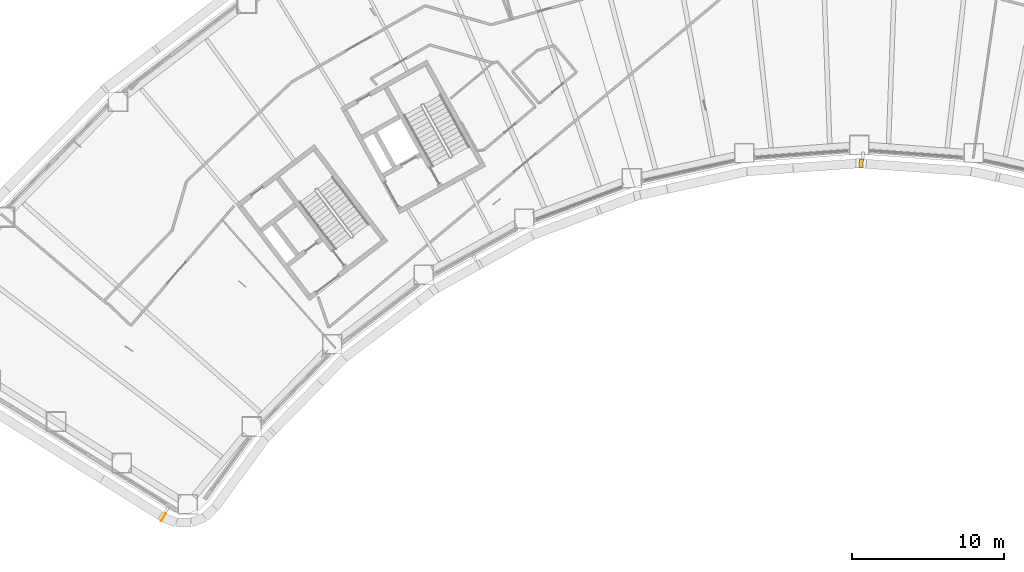
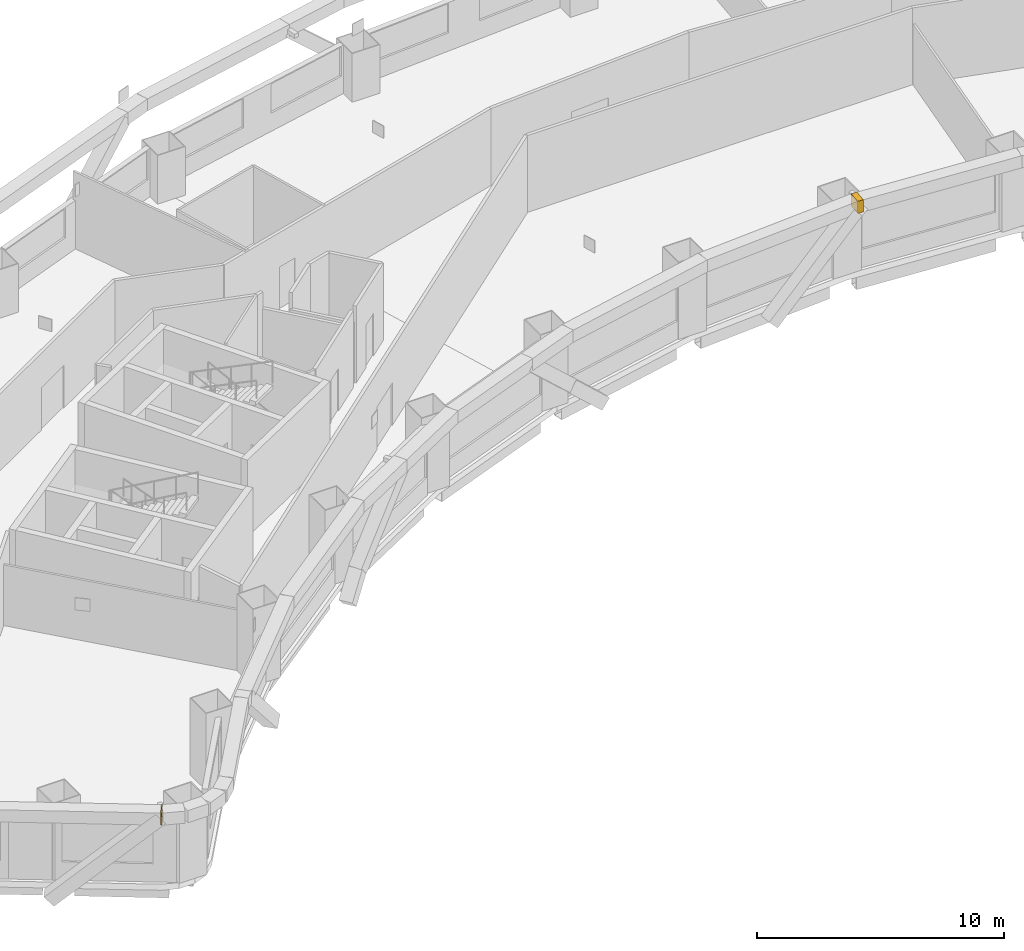
# One storey, part 19 of 19: 2 coverings.
"""IFC4 building model written with IfcOpenShell, lengths in metres."""

from ifc_helpers import new_model, si_unit, direction, frame, origin, origin_2d, place, context, subcontext, project, spatial, rectangle, extrude, material, material_profile, profile_set, type_object, element, save


model = new_model("IFC4")

# Units and contexts
model_context = context("Model", 3, precision=1e-05, world=origin(), true_north=direction((0.0, 1.0)))
body_context = subcontext(model_context, "Body", "Model", "MODEL_VIEW")
ifc_project = project(units=[si_unit("LENGTHUNIT", "METRE"), si_unit("AREAUNIT", "SQUARE_METRE"), si_unit("VOLUMEUNIT", "CUBIC_METRE"), si_unit("PLANEANGLEUNIT", "RADIAN"), si_unit("MASSUNIT", "GRAM", prefix="KILO")], contexts=[model_context])

# Site, building, storey
site_placement = place(None, origin())
site = spatial("IfcSite", under=ifc_project, at=site_placement, CompositionType="ELEMENT")
building_placement = place(site_placement, origin())
building = spatial("IfcBuilding", under=site, at=building_placement, Name="Tuul Gate Civic Tower", CompositionType="ELEMENT")
storey_placement = place(building_placement, frame((0.0, 0.0, 56.699951171875)))
storey = spatial("IfcBuildingStorey", under=building, at=storey_placement, Name="Level 12", CompositionType="ELEMENT", Elevation=56.699951171875)

# Coverings
ifc_material = material(Name="Terracotta baguette", Category="masonry")
ifc_material_profile = material_profile(ifc_material, rectangle(XDim=0.60009765625, YDim=0.60009765625, at=origin_2d()), Name="Terracotta baguette screen frame")
ifc_profile_set = profile_set([ifc_material_profile], Name="Terracotta baguette")
covering_type = type_object("IfcCoveringType", Name="Terracotta baguette screen frame", PredefinedType="CLADDING", material=ifc_profile_set)
covering_1_placement = place(storey_placement, frame((-45.928955078125, -32.0078125, 3.85009765625), z_axis=(0.848261487435, -0.529577613702, 0.0), x_axis=(0.529577613702, 0.848261487435, 0.0)))
element("IfcCovering", 1, at=covering_1_placement, inside=storey, type_object=covering_type, Name="Baguette 171", PredefinedType="CLADDING", context=body_context, shape_type="SweptSolid", body=[
    extrude(rectangle(XDim=0.60009765625, YDim=0.60009765625, at=origin_2d()), origin(), (0.0, 0.0, 1.0), 0.052001953125),
])
covering_2_placement = place(storey_placement, frame((0.0, -8.660888671875, 3.85009765625), z_axis=(0.997373140926, -0.072434920849, 0.0), x_axis=(0.072434920849, 0.997373140926, 0.0)))
element("IfcCovering", 2, at=covering_2_placement, inside=storey, type_object=covering_type, Name="Baguette 439", PredefinedType="CLADDING", context=body_context, shape_type="SweptSolid", body=[
    extrude(rectangle(XDim=0.60009765625, YDim=0.60009765625, at=origin_2d()), origin(), (0.0, 0.0, 1.0), 0.262939453125),
])

save(model, "model.ifc")
